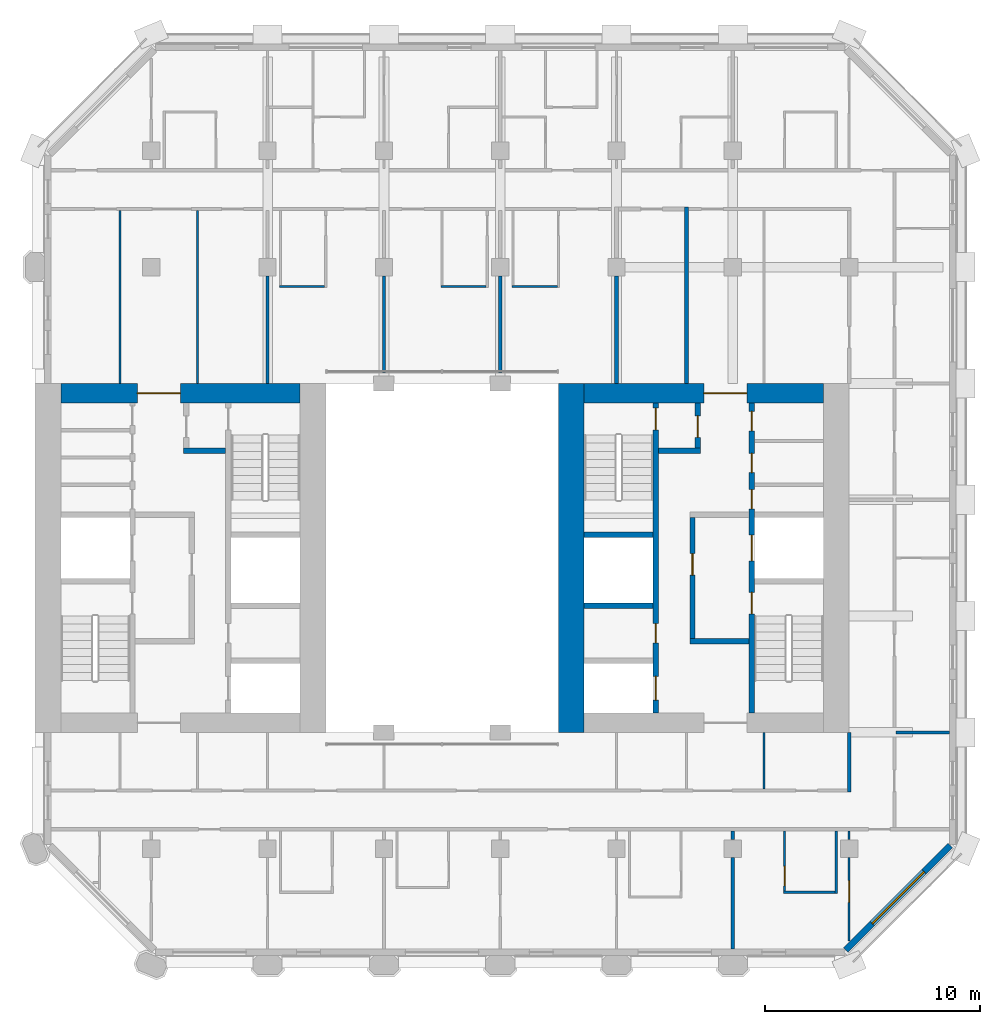
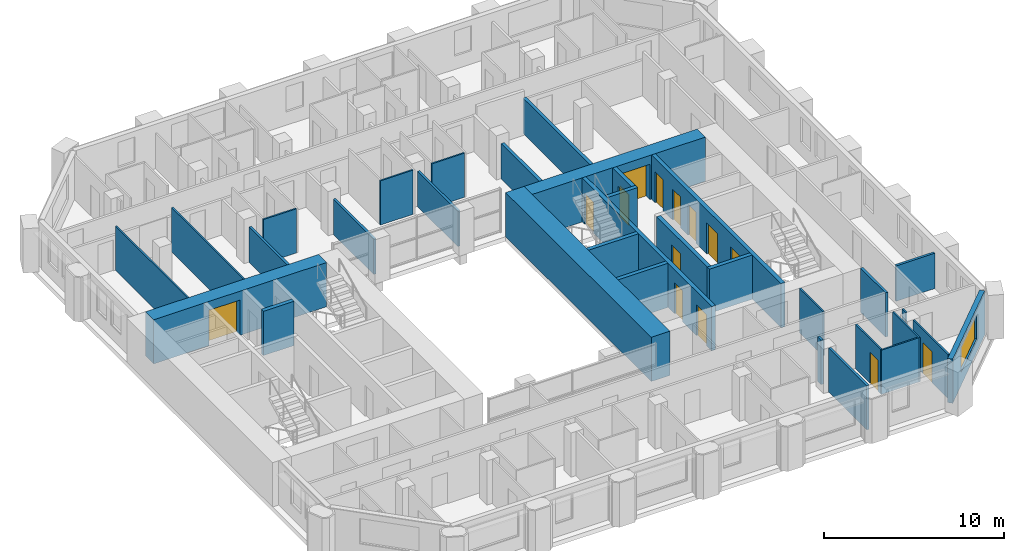
# One storey, part 6 of 13: 33 walls, 14 doors, 1 window, 15 openings.
"""IFC4 building model written with IfcOpenShell, lengths in metres."""

from ifc_helpers import new_model, si_unit, direction, frame, frame_2d, origin, place, context, subcontext, project, spatial, rectangle, extrude, material, layer, layer_set, type_object, element, fill, save


model = new_model("IFC4")

# Units and contexts
model_context = context("Model", 3, precision=1e-05, world=origin(), true_north=direction((0.0, 1.0)))
body_context = subcontext(model_context, "Body", "Model", "MODEL_VIEW")
ifc_project = project(units=[si_unit("LENGTHUNIT", "METRE"), si_unit("AREAUNIT", "SQUARE_METRE"), si_unit("VOLUMEUNIT", "CUBIC_METRE"), si_unit("PLANEANGLEUNIT", "RADIAN"), si_unit("MASSUNIT", "GRAM", prefix="KILO")], contexts=[model_context])

# Site, building, storey
site_placement = place(None, origin())
site = spatial("IfcSite", under=ifc_project, at=site_placement, CompositionType="ELEMENT")
building_placement = place(site_placement, origin())
building = spatial("IfcBuilding", under=site, at=building_placement, Name="Tabaq Tower and Sports Hall", CompositionType="ELEMENT")
storey_placement = place(building_placement, frame((0.0, 0.0, 200.5)))
storey = spatial("IfcBuildingStorey", under=building, at=storey_placement, Name="L49", CompositionType="ELEMENT", Elevation=200.5)

# Wall
ifc_material_1 = material(Name="Concrete C50/60", Category="concrete")
ifc_layer_1 = layer(ifc_material_1, 1.199951171875)
ifc_layer_set_1 = layer_set([ifc_layer_1], Name="Core wall 1200 Concrete C50/60")
wall_type_1 = type_object("IfcWallType", Name="Core wall 1200 Concrete C50/60", PredefinedType="SOLIDWALL", material=ifc_layer_set_1)
wall_1_placement = place(storey_placement, frame((30.300048828125, 16.199951171875, 0.0), z_axis=(0.0, 0.0, 1.0), x_axis=(0.0, 1.0, 0.0)))
element("IfcWall", 1, at=wall_1_placement, inside=storey, type_object=wall_type_1, Name="Core wall E L49", PredefinedType="SOLIDWALL", context=body_context, shape_type="SweptSolid", body=[
    extrude(rectangle(XDim=16.199951171875, YDim=1.199951171875, at=frame_2d((8.10009765625, 0.0))), origin(), (0.0, 0.0, 1.0), 3.0),
])

# Wall, opening, door
ifc_material_2 = material(Name="Concrete C50/60", Category="concrete")
ifc_layer_2 = layer(ifc_material_2, 0.89990234375)
ifc_layer_set_2 = layer_set([ifc_layer_2], Name="Core wall 900 Concrete C50/60")
wall_type_2 = type_object("IfcWallType", Name="Core wall 900 Concrete C50/60", PredefinedType="SOLIDWALL", material=ifc_layer_set_2)
wall_2_placement = place(storey_placement, frame((6.60009765625, 31.949951171875, 0.0), z_axis=(0.0, 0.0, 1.0), x_axis=(1.0, 0.0, 0.0)))
wall_2 = element("IfcWall", 2, at=wall_2_placement, inside=storey, type_object=wall_type_2, Name="Core wall W L49", PredefinedType="SOLIDWALL", context=body_context, shape_type="SweptSolid", body=[
    extrude(rectangle(XDim=11.099853515625, YDim=0.89990234375, at=frame_2d((5.5498046875, 0.0))), origin(), (0.0, 0.0, 1.0), 3.0),
])
opening_1_placement = place(wall_2_placement, frame((3.550048828125, 0.0, 0.0)))
opening_1 = element("IfcOpeningElement", 3, at=opening_1_placement, cuts=wall_2, Name="Opening PD-WL49-02", PredefinedType="OPENING", context=body_context, shape_type="SweptSolid", body=[
    extrude(rectangle(XDim=2.0, YDim=2.39990234375, at=frame_2d((1.0, 1.199951171875))), frame((0.0, 0.449951171875, 0.0), z_axis=(0.0, -1.0, 0.0), x_axis=(1.0, 0.0, 0.0)), (0.0, 0.0, 1.0), 0.89990234375),
])
ifc_material_3 = material(Name="Steel fire door", Category="steel")
door_type_1 = type_object("IfcDoorType", Name="Core entrance door 2000", OperationType="DOUBLE_DOOR_SINGLE_SWING", PredefinedType="DOOR", material=ifc_material_3)
door_1_placement = place(opening_1_placement, origin())
door_1 = element("IfcDoor", 4, at=door_1_placement, inside=storey, type_object=door_type_1, Name="Core entrance north W L49", OperationType="DOUBLE_DOOR_SINGLE_SWING", OverallHeight=2.39990234375, OverallWidth=2.0, PredefinedType="DOOR", context=body_context, shape_type="SweptSolid", body=[
    extrude(rectangle(XDim=2.0, YDim=2.39990234375, at=frame_2d((1.0, 1.199951171875))), frame((0.0, 0.02490234375, 0.0), z_axis=(0.0, -1.0, 0.0), x_axis=(1.0, 0.0, 0.0)), (0.0, 0.0, 1.0), 0.050048828125),
])
fill(opening_1, door_1)

wall_3_placement = place(storey_placement, frame((30.89990234375, 31.949951171875, 0.0), z_axis=(0.0, 0.0, 1.0), x_axis=(1.0, 0.0, 0.0)))
wall_3 = element("IfcWall", 5, at=wall_3_placement, inside=storey, type_object=wall_type_2, Name="Core wall E L49", PredefinedType="SOLIDWALL", context=body_context, shape_type="SweptSolid", body=[
    extrude(rectangle(XDim=11.10009765625, YDim=0.89990234375, at=frame_2d((5.550048828125, 0.0))), origin(), (0.0, 0.0, 1.0), 3.0),
])
opening_2_placement = place(wall_3_placement, frame((5.550048828125, 0.0, 0.0)))
opening_2 = element("IfcOpeningElement", 6, at=opening_2_placement, cuts=wall_3, Name="Opening PD-EL49-02", PredefinedType="OPENING", context=body_context, shape_type="SweptSolid", body=[
    extrude(rectangle(XDim=2.0, YDim=2.39990234375, at=frame_2d((1.0, 1.199951171875))), frame((0.0, 0.449951171875, 0.0), z_axis=(0.0, -1.0, 0.0), x_axis=(1.0, 0.0, 0.0)), (0.0, 0.0, 1.0), 0.89990234375),
])
door_2_placement = place(opening_2_placement, origin())
door_2 = element("IfcDoor", 7, at=door_2_placement, inside=storey, type_object=door_type_1, Name="Core entrance north E L49", OperationType="DOUBLE_DOOR_SINGLE_SWING", OverallHeight=2.39990234375, OverallWidth=2.0, PredefinedType="DOOR", context=body_context, shape_type="SweptSolid", body=[
    extrude(rectangle(XDim=2.0, YDim=2.39990234375, at=frame_2d((1.0, 1.199951171875))), frame((0.0, 0.02490234375, 0.0), z_axis=(0.0, -1.0, 0.0), x_axis=(1.0, 0.0, 0.0)), (0.0, 0.0, 1.0), 0.050048828125),
])
fill(opening_2, door_2)

# Walls
ifc_material_4 = material(Name="Blockwork", Category="masonry")
ifc_layer_3 = layer(ifc_material_4, 0.199951171875)
ifc_layer_set_3 = layer_set([ifc_layer_3], Name="Fire compartment wall 200 Blockwork")
wall_type_3 = type_object("IfcWallType", Name="Fire compartment wall 200 Blockwork", PredefinedType="PARTITIONING", material=ifc_layer_set_3)
wall_4_placement = place(storey_placement, frame((32.39990234375, 32.39990234375, 0.0), z_axis=(0.0, 0.0, 1.0), x_axis=(0.0, 1.0, 0.0)))
element("IfcWall", 8, at=wall_4_placement, inside=storey, type_object=wall_type_3, Name="Compartment wall L49", PredefinedType="PARTITIONING", context=body_context, shape_type="SweptSolid", body=[
    extrude(rectangle(XDim=4.97998046875, YDim=0.199951171875, at=frame_2d((2.489990234375, 0.0))), origin(), (0.0, 0.0, 1.0), 2.39990234375),
])
wall_5_placement = place(storey_placement, frame((35.64990234375, 40.60009765625, 0.0), z_axis=(0.0, 0.0, 1.0), x_axis=(0.0, -1.0, 0.0)))
element("IfcWall", 9, at=wall_5_placement, inside=storey, type_object=wall_type_3, Name="Compartment wall L49", PredefinedType="PARTITIONING", context=body_context, shape_type="SweptSolid", body=[
    extrude(rectangle(XDim=8.2001953125, YDim=0.199951171875, at=frame_2d((4.10009765625, 0.0))), origin(), (0.0, 0.0, 1.0), 2.39990234375),
])
ifc_material_5 = material(Name="Gypsum board on steel studs", Category="steel")
ifc_layer_4 = layer(ifc_material_5, 0.10009765625)
ifc_layer_set_4 = layer_set([ifc_layer_4], Name="Partition 100 Gypsum board")
wall_type_4 = type_object("IfcWallType", Name="Partition 100 Gypsum board", PredefinedType="PARTITIONING", material=ifc_layer_set_4)
for number, where, z_axis, x_axis, name in (
    (10, (18.85009765625, 36.89990234375, 0.0), (0.0, 0.0, 1.0), (-1.0, 0.0, 0.0), "Partition wall L49"),
    (11, (26.35009765625, 36.89990234375, 0.0), (0.0, 0.0, 1.0), (-1.0, 0.0, 0.0), "Partition wall L49"),
):
    element("IfcWall", number, at=place(storey_placement, frame(where, z_axis=z_axis, x_axis=x_axis)), inside=storey, type_object=wall_type_4, Name=name, PredefinedType="PARTITIONING", context=body_context, shape_type="SweptSolid", body=[
        extrude(rectangle(XDim=2.10009765625, YDim=0.10009765625, at=frame_2d((1.050048828125, 0.0))), origin(), (0.0, 0.0, 1.0), 3.0),
    ])
wall_6_placement = place(storey_placement, frame((29.64990234375, 36.89990234375, 0.0), z_axis=(0.0, 0.0, 1.0), x_axis=(-1.0, 0.0, 0.0)))
element("IfcWall", 12, at=wall_6_placement, inside=storey, type_object=wall_type_4, Name="Partition wall L49", PredefinedType="PARTITIONING", context=body_context, shape_type="SweptSolid", body=[
    extrude(rectangle(XDim=2.099853515625, YDim=0.10009765625, at=frame_2d((1.0498046875, 0.0))), origin(), (0.0, 0.0, 1.0), 3.0),
])
for number, where, z_axis, x_axis, name in (
    (13, (9.35009765625, 40.425048828125, 0.0), (0.0, 0.0, 1.0), (0.0, -1.0, 0.0), "Partition wall L49"),
    (14, (12.949951171875, 32.39990234375, 0.0), (0.0, 0.0, 1.0), (0.0, 1.0, 0.0), "Partition wall L49"),
):
    element("IfcWall", number, at=place(storey_placement, frame(where, z_axis=z_axis, x_axis=x_axis)), inside=storey, type_object=wall_type_4, Name=name, PredefinedType="PARTITIONING", context=body_context, shape_type="SweptSolid", body=[
        extrude(rectangle(XDim=8.025146484375, YDim=0.10009765625, at=frame_2d((4.0126953125, 0.0))), origin(), (0.0, 0.0, 1.0), 3.0),
    ])

# Wall, opening, door
wall_7_placement = place(storey_placement, frame((43.199951171875, 6.51220703125, 0.0), z_axis=(0.0, 0.0, 1.0), x_axis=(0.0, 1.0, 0.0)))
wall_7 = element("IfcWall", 15, at=wall_7_placement, inside=storey, type_object=wall_type_4, Name="Partition wall L49", PredefinedType="PARTITIONING", context=body_context, shape_type="SweptSolid", body=[
    extrude(rectangle(XDim=3.86767578125, YDim=0.10009765625, at=frame_2d((1.933837890625, 0.0))), origin(), (0.0, 0.0, 1.0), 3.0),
])
opening_3_placement = place(wall_7_placement, frame((1.80029296875, 0.0, 0.0)))
opening_3 = element("IfcOpeningElement", 16, at=opening_3_placement, cuts=wall_7, Name="Opening L49-047", PredefinedType="OPENING", context=body_context, shape_type="SweptSolid", body=[
    extrude(rectangle(XDim=1.0, YDim=2.10009765625, at=frame_2d((0.5, 1.050048828125))), frame((0.0, 0.050048828125, 0.0), z_axis=(0.0, -1.0, 0.0), x_axis=(1.0, 0.0, 0.0)), (0.0, 0.0, 1.0), 0.10009765625),
])
ifc_material_6 = material(Name="Timber leaf in steel frame", Category="steel")
door_type_2 = type_object("IfcDoorType", Name="Internal door 1000 right hand", OperationType="SINGLE_SWING_RIGHT", PredefinedType="DOOR", material=ifc_material_6)
door_3_placement = place(opening_3_placement, origin())
door_3 = element("IfcDoor", 17, at=door_3_placement, inside=storey, type_object=door_type_2, Name="Internal door L49-047", OperationType="SINGLE_SWING_RIGHT", OverallHeight=2.10009765625, OverallWidth=1.0, PredefinedType="DOOR", context=body_context, shape_type="SweptSolid", body=[
    extrude(rectangle(XDim=1.0, YDim=2.10009765625, at=frame_2d((0.5, 1.050048828125))), frame((0.0, 0.02490234375, 0.0), z_axis=(0.0, -1.0, 0.0), x_axis=(1.0, 0.0, 0.0)), (0.0, 0.0, 1.0), 0.050048828125),
])
fill(opening_3, door_3)

# Walls
wall_8_placement = place(storey_placement, frame((43.199951171875, 11.219970703125, 0.0), z_axis=(0.0, 0.0, 1.0), x_axis=(0.0, 1.0, 0.0)))
element("IfcWall", 18, at=wall_8_placement, inside=storey, type_object=wall_type_4, Name="Partition wall L49", PredefinedType="PARTITIONING", context=body_context, shape_type="SweptSolid", body=[
    extrude(rectangle(XDim=0.405029296875, YDim=0.10009765625, at=frame_2d((0.20263671875, 0.0))), origin(), (0.0, 0.0, 1.0), 3.0),
])
wall_9_placement = place(storey_placement, frame((42.60009765625, 11.625, 0.0), z_axis=(0.0, 0.0, 1.0), x_axis=(0.0, -1.0, 0.0)))
element("IfcWall", 19, at=wall_9_placement, inside=storey, type_object=wall_type_4, Name="Partition wall L49", PredefinedType="PARTITIONING", context=body_context, shape_type="SweptSolid", body=[
    extrude(rectangle(XDim=2.89990234375, YDim=0.10009765625, at=frame_2d((1.449951171875, 0.0))), origin(), (0.0, 0.0, 1.0), 3.0),
])
wall_10_placement = place(storey_placement, frame((42.550048828125, 8.77490234375, 0.0), z_axis=(0.0, 0.0, 1.0), x_axis=(-1.0, 0.0, 0.0)))
element("IfcWall", 20, at=wall_10_placement, inside=storey, type_object=wall_type_4, Name="Partition wall L49", PredefinedType="PARTITIONING", context=body_context, shape_type="SweptSolid", body=[
    extrude(rectangle(XDim=2.400146484375, YDim=0.10009765625, at=frame_2d((1.2001953125, 0.0))), origin(), (0.0, 0.0, 1.0), 3.0),
])

# Wall, opening, door
wall_11_placement = place(storey_placement, frame((40.199951171875, 8.824951171875, 0.0), z_axis=(0.0, 0.0, 1.0), x_axis=(0.0, 1.0, 0.0)))
wall_11 = element("IfcWall", 21, at=wall_11_placement, inside=storey, type_object=wall_type_4, Name="Partition wall L49", PredefinedType="PARTITIONING", context=body_context, shape_type="SweptSolid", body=[
    extrude(rectangle(XDim=2.800048828125, YDim=0.10009765625, at=frame_2d((1.39990234375, 0.0))), origin(), (0.0, 0.0, 1.0), 3.0),
])
opening_4_placement = place(wall_11_placement, frame((0.25, 0.0, 0.0)))
opening_4 = element("IfcOpeningElement", 22, at=opening_4_placement, cuts=wall_11, Name="Opening L49-023", PredefinedType="OPENING", context=body_context, shape_type="SweptSolid", body=[
    extrude(rectangle(XDim=0.89990234375, YDim=2.10009765625, at=frame_2d((0.449951171875, 1.050048828125))), frame((0.0, 0.050048828125, 0.0), z_axis=(0.0, -1.0, 0.0), x_axis=(1.0, 0.0, 0.0)), (0.0, 0.0, 1.0), 0.10009765625),
])
ifc_material_7 = material(Name="Timber leaf in steel frame", Category="steel")
door_type_3 = type_object("IfcDoorType", Name="Internal door 900 right hand", OperationType="SINGLE_SWING_RIGHT", PredefinedType="DOOR", material=ifc_material_7)
door_4_placement = place(opening_4_placement, origin())
door_4 = element("IfcDoor", 23, at=door_4_placement, inside=storey, type_object=door_type_3, Name="Internal door L49-023", OperationType="SINGLE_SWING_RIGHT", OverallHeight=2.10009765625, OverallWidth=0.89990234375, PredefinedType="DOOR", context=body_context, shape_type="SweptSolid", body=[
    extrude(rectangle(XDim=0.89990234375, YDim=2.10009765625, at=frame_2d((0.449951171875, 1.050048828125))), frame((0.0, 0.02490234375, 0.0), z_axis=(0.0, -1.0, 0.0), x_axis=(1.0, 0.0, 0.0)), (0.0, 0.0, 1.0), 0.050048828125),
])
fill(opening_4, door_4)

# Walls
wall_12_placement = place(storey_placement, frame((39.25, 13.574951171875, 0.0), z_axis=(0.0, 0.0, 1.0), x_axis=(0.0, 1.0, 0.0)))
element("IfcWall", 24, at=wall_12_placement, inside=storey, type_object=wall_type_4, Name="Partition wall L49", PredefinedType="PARTITIONING", context=body_context, shape_type="SweptSolid", body=[
    extrude(rectangle(XDim=2.625, YDim=0.10009765625, at=frame_2d((1.3125, 0.0))), origin(), (0.0, 0.0, 1.0), 3.0),
])
ifc_material_8 = material(Name="Blockwork", Category="masonry")
ifc_layer_5 = layer(ifc_material_8, 0.14990234375)
ifc_layer_set_5 = layer_set([ifc_layer_5], Name="Separating wall 150 Blockwork")
wall_type_5 = type_object("IfcWallType", Name="Separating wall 150 Blockwork", PredefinedType="PARTITIONING", material=ifc_layer_set_5)
wall_13_placement = place(storey_placement, frame((21.60009765625, 32.89501953125, 0.0), z_axis=(0.0, 0.0, 1.0), x_axis=(0.0, 1.0, 0.0)))
element("IfcWall", 25, at=wall_13_placement, inside=storey, type_object=wall_type_5, Name="Separating wall L49", PredefinedType="PARTITIONING", context=body_context, shape_type="SweptSolid", body=[
    extrude(rectangle(XDim=4.48486328125, YDim=0.14990234375, at=frame_2d((2.242431640625, 0.0))), origin(), (0.0, 0.0, 1.0), 2.39990234375),
])
wall_14_placement = place(storey_placement, frame((16.199951171875, 37.3798828125, 0.0), z_axis=(0.0, 0.0, 1.0), x_axis=(0.0, -1.0, 0.0)))
element("IfcWall", 26, at=wall_14_placement, inside=storey, type_object=wall_type_5, Name="Separating wall L49", PredefinedType="PARTITIONING", context=body_context, shape_type="SweptSolid", body=[
    extrude(rectangle(XDim=4.97998046875, YDim=0.14990234375, at=frame_2d((2.489990234375, 0.0))), origin(), (0.0, 0.0, 1.0), 2.39990234375),
])
wall_15_placement = place(storey_placement, frame((27.0, 32.89501953125, 0.0), z_axis=(0.0, 0.0, 1.0), x_axis=(0.0, 1.0, 0.0)))
element("IfcWall", 27, at=wall_15_placement, inside=storey, type_object=wall_type_5, Name="Separating wall L49", PredefinedType="PARTITIONING", context=body_context, shape_type="SweptSolid", body=[
    extrude(rectangle(XDim=4.48486328125, YDim=0.14990234375, at=frame_2d((2.242431640625, 0.0))), origin(), (0.0, 0.0, 1.0), 2.39990234375),
])
wall_16_placement = place(storey_placement, frame((47.84912109375, 16.199951171875, 0.0), z_axis=(0.0, 0.0, 1.0), x_axis=(-1.0, 0.0, 0.0)))
element("IfcWall", 28, at=wall_16_placement, inside=storey, type_object=wall_type_5, Name="Separating wall L49", PredefinedType="PARTITIONING", context=body_context, shape_type="SweptSolid", body=[
    extrude(rectangle(XDim=2.47412109375, YDim=0.14990234375, at=frame_2d((1.237060546875, 0.0))), origin(), (0.0, 0.0, 1.0), 2.39990234375),
])
wall_17_placement = place(storey_placement, frame((37.800048828125, 6.15087890625, 0.0), z_axis=(0.0, 0.0, 1.0), x_axis=(0.0, 1.0, 0.0)))
element("IfcWall", 29, at=wall_17_placement, inside=storey, type_object=wall_type_5, Name="Separating wall L49", PredefinedType="PARTITIONING", context=body_context, shape_type="SweptSolid", body=[
    extrude(rectangle(XDim=4.22900390625, YDim=0.14990234375, at=frame_2d((2.114501953125, 0.0))), origin(), (0.0, 0.0, 1.0), 3.0),
])
wall_18_placement = place(storey_placement, frame((37.800048828125, 11.219970703125, 0.0), z_axis=(0.0, 0.0, 1.0), x_axis=(0.0, 1.0, 0.0)))
element("IfcWall", 30, at=wall_18_placement, inside=storey, type_object=wall_type_5, Name="Separating wall L49", PredefinedType="PARTITIONING", context=body_context, shape_type="SweptSolid", body=[
    extrude(rectangle(XDim=0.405029296875, YDim=0.14990234375, at=frame_2d((0.20263671875, 0.0))), origin(), (0.0, 0.0, 1.0), 3.0),
])
wall_19_placement = place(storey_placement, frame((43.199951171875, 16.199951171875, 0.0), z_axis=(0.0, 0.0, 1.0), x_axis=(0.0, -1.0, 0.0)))
element("IfcWall", 31, at=wall_19_placement, inside=storey, type_object=wall_type_5, Name="Separating wall L49", PredefinedType="PARTITIONING", context=body_context, shape_type="SweptSolid", body=[
    extrude(rectangle(XDim=2.77490234375, YDim=0.14990234375, at=frame_2d((1.387451171875, 0.0))), origin(), (0.0, 0.0, 1.0), 3.0),
])
ifc_material_9 = material(Name="Concrete C40/50", Category="concrete")
ifc_layer_6 = layer(ifc_material_9, 0.25)
ifc_layer_set_6 = layer_set([ifc_layer_6], Name="Shaft and stair wall 250 Concrete C40/50")
wall_type_6 = type_object("IfcWallType", Name="Shaft and stair wall 250 Concrete C40/50", PredefinedType="SOLIDWALL", material=ifc_layer_set_6)
wall_20_placement = place(storey_placement, frame((12.300048828125, 29.27490234375, 0.0), z_axis=(0.0, 0.0, 1.0), x_axis=(1.0, 0.0, 0.0)))
element("IfcWall", 32, at=wall_20_placement, inside=storey, type_object=wall_type_6, Name="Fire-fighting lobby wall W L49", PredefinedType="SOLIDWALL", context=body_context, shape_type="SweptSolid", body=[
    extrude(rectangle(XDim=1.949951171875, YDim=0.25, at=frame_2d((0.97509765625, 0.0))), origin(), (0.0, 0.0, 1.0), 3.0),
])

# Wall, openings, doors
wall_21_placement = place(storey_placement, frame((38.675048828125, 17.10009765625, 0.0), z_axis=(0.0, 0.0, 1.0), x_axis=(0.0, 1.0, 0.0)))
wall_21 = element("IfcWall", 33, at=wall_21_placement, inside=storey, type_object=wall_type_6, Name="Shaft wall E L49", PredefinedType="SOLIDWALL", context=body_context, shape_type="SweptSolid", body=[
    extrude(rectangle(XDim=14.39990234375, YDim=0.25, at=frame_2d((7.199951171875, 0.0))), origin(), (0.0, 0.0, 1.0), 3.0),
])
opening_5_placement = place(wall_21_placement, frame((4.60009765625, 0.0, 0.0)))
opening_5 = element("IfcOpeningElement", 34, at=opening_5_placement, cuts=wall_21, Name="Opening SD-EL49-03", PredefinedType="OPENING", context=body_context, shape_type="SweptSolid", body=[
    extrude(rectangle(XDim=1.0, YDim=2.10009765625, at=frame_2d((0.5, 1.050048828125))), frame((0.0, 0.125, 0.0), z_axis=(0.0, -1.0, 0.0), x_axis=(1.0, 0.0, 0.0)), (0.0, 0.0, 1.0), 0.25),
])
opening_6_placement = place(wall_21_placement, frame((7.0625, 0.0, 0.0)))
opening_6 = element("IfcOpeningElement", 35, at=opening_6_placement, cuts=wall_21, Name="Opening LD-FF2-L49", PredefinedType="OPENING", context=body_context, shape_type="SweptSolid", body=[
    extrude(rectangle(XDim=1.199951171875, YDim=2.10009765625, at=frame_2d((0.60009765625, 1.050048828125))), frame((0.0, 0.125, 0.0), z_axis=(0.0, -1.0, 0.0), x_axis=(1.0, 0.0, 0.0)), (0.0, 0.0, 1.0), 0.25),
])
opening_7_placement = place(wall_21_placement, frame((9.471923828125, 0.0, 0.0)))
opening_7 = element("IfcOpeningElement", 36, at=opening_7_placement, cuts=wall_21, Name="Opening RD-EL49-09", PredefinedType="OPENING", context=body_context, shape_type="SweptSolid", body=[
    extrude(rectangle(XDim=0.89990234375, YDim=2.10009765625, at=frame_2d((0.449951171875, 1.050048828125))), frame((0.0, 0.125, 0.0), z_axis=(0.0, -1.0, 0.0), x_axis=(1.0, 0.0, 0.0)), (0.0, 0.0, 1.0), 0.25),
])
opening_8_placement = place(wall_21_placement, frame((11.158935546875, 0.0, 0.0)))
opening_8 = element("IfcOpeningElement", 37, at=opening_8_placement, cuts=wall_21, Name="Opening RD-EL49-10", PredefinedType="OPENING", context=body_context, shape_type="SweptSolid", body=[
    extrude(rectangle(XDim=0.89990234375, YDim=2.10009765625, at=frame_2d((0.449951171875, 1.050048828125))), frame((0.0, 0.125, 0.0), z_axis=(0.0, -1.0, 0.0), x_axis=(1.0, 0.0, 0.0)), (0.0, 0.0, 1.0), 0.25),
])
opening_9_placement = place(wall_21_placement, frame((13.099609375, 0.0, 0.0)))
opening_9 = element("IfcOpeningElement", 38, at=opening_9_placement, cuts=wall_21, Name="Opening RD-EL49-11", PredefinedType="OPENING", context=body_context, shape_type="SweptSolid", body=[
    extrude(rectangle(XDim=0.89990234375, YDim=2.10009765625, at=frame_2d((0.449951171875, 1.050048828125))), frame((0.0, 0.125, 0.0), z_axis=(0.0, -1.0, 0.0), x_axis=(1.0, 0.0, 0.0)), (0.0, 0.0, 1.0), 0.25),
])
ifc_material_10 = material(Name="Steel fire door", Category="steel")
door_type_4 = type_object("IfcDoorType", Name="Core room door 900", OperationType="SINGLE_SWING_LEFT", PredefinedType="DOOR", material=ifc_material_10)
door_5_placement = place(opening_7_placement, origin())
door_5 = element("IfcDoor", 39, at=door_5_placement, inside=storey, type_object=door_type_4, Name="Door Electrical Riser Room E L49", OperationType="SINGLE_SWING_LEFT", OverallHeight=2.10009765625, OverallWidth=0.89990234375, PredefinedType="DOOR", context=body_context, shape_type="SweptSolid", body=[
    extrude(rectangle(XDim=0.89990234375, YDim=2.10009765625, at=frame_2d((0.449951171875, 1.050048828125))), frame((0.0, 0.02490234375, 0.0), z_axis=(0.0, -1.0, 0.0), x_axis=(1.0, 0.0, 0.0)), (0.0, 0.0, 1.0), 0.050048828125),
])
fill(opening_7, door_5)
door_6_placement = place(opening_8_placement, origin())
door_6 = element("IfcDoor", 40, at=door_6_placement, inside=storey, type_object=door_type_4, Name="Door Unisex WC E L49", OperationType="SINGLE_SWING_LEFT", OverallHeight=2.10009765625, OverallWidth=0.89990234375, PredefinedType="DOOR", context=body_context, shape_type="SweptSolid", body=[
    extrude(rectangle(XDim=0.89990234375, YDim=2.10009765625, at=frame_2d((0.449951171875, 1.050048828125))), frame((0.0, 0.02490234375, 0.0), z_axis=(0.0, -1.0, 0.0), x_axis=(1.0, 0.0, 0.0)), (0.0, 0.0, 1.0), 0.050048828125),
])
fill(opening_8, door_6)
door_7_placement = place(opening_9_placement, origin())
door_7 = element("IfcDoor", 41, at=door_7_placement, inside=storey, type_object=door_type_4, Name="Door Accessible WC E L49", OperationType="SINGLE_SWING_LEFT", OverallHeight=2.10009765625, OverallWidth=0.89990234375, PredefinedType="DOOR", context=body_context, shape_type="SweptSolid", body=[
    extrude(rectangle(XDim=0.89990234375, YDim=2.10009765625, at=frame_2d((0.449951171875, 1.050048828125))), frame((0.0, 0.02490234375, 0.0), z_axis=(0.0, -1.0, 0.0), x_axis=(1.0, 0.0, 0.0)), (0.0, 0.0, 1.0), 0.050048828125),
])
fill(opening_9, door_7)
ifc_material_11 = material(Name="Stainless steel", Category="steel")
door_type_5 = type_object("IfcDoorType", Name="Lift landing door 1200", OperationType="DOUBLE_DOOR_SLIDING", PredefinedType="DOOR", material=ifc_material_11)
door_8_placement = place(opening_6_placement, origin())
door_8 = element("IfcDoor", 42, at=door_8_placement, inside=storey, type_object=door_type_5, Name="Lift landing door FF2 E L49", OperationType="DOUBLE_DOOR_SLIDING", OverallHeight=2.10009765625, OverallWidth=1.199951171875, PredefinedType="DOOR", context=body_context, shape_type="SweptSolid", body=[
    extrude(rectangle(XDim=1.199951171875, YDim=2.10009765625, at=frame_2d((0.60009765625, 1.050048828125))), frame((0.0, 0.02490234375, 0.0), z_axis=(0.0, -1.0, 0.0), x_axis=(1.0, 0.0, 0.0)), (0.0, 0.0, 1.0), 0.050048828125),
])
fill(opening_6, door_8)
ifc_material_12 = material(Name="Steel fire door", Category="steel")
door_type_6 = type_object("IfcDoorType", Name="Stair door 1000", OperationType="SINGLE_SWING_LEFT", PredefinedType="DOOR", material=ifc_material_12)
door_9_placement = place(opening_5_placement, origin())
door_9 = element("IfcDoor", 43, at=door_9_placement, inside=storey, type_object=door_type_6, Name="Stair door ST3 E L49", OperationType="SINGLE_SWING_LEFT", OverallHeight=2.10009765625, OverallWidth=1.0, PredefinedType="DOOR", context=body_context, shape_type="SweptSolid", body=[
    extrude(rectangle(XDim=1.0, YDim=2.10009765625, at=frame_2d((0.5, 1.050048828125))), frame((0.0, 0.02490234375, 0.0), z_axis=(0.0, -1.0, 0.0), x_axis=(1.0, 0.0, 0.0)), (0.0, 0.0, 1.0), 0.050048828125),
])
fill(opening_5, door_9)

wall_22_placement = place(storey_placement, frame((34.22509765625, 17.10009765625, 0.0), z_axis=(0.0, 0.0, 1.0), x_axis=(0.0, 1.0, 0.0)))
wall_22 = element("IfcWall", 44, at=wall_22_placement, inside=storey, type_object=wall_type_6, Name="Shaft wall E L49", PredefinedType="SOLIDWALL", context=body_context, shape_type="SweptSolid", body=[
    extrude(rectangle(XDim=14.39990234375, YDim=0.25, at=frame_2d((7.199951171875, 0.0))), origin(), (0.0, 0.0, 1.0), 3.0),
])
opening_10_placement = place(wall_22_placement, frame((13.14990234375, 0.0, 0.0)))
opening_10 = element("IfcOpeningElement", 45, at=opening_10_placement, cuts=wall_22, Name="Opening SD-EL49-05", PredefinedType="OPENING", context=body_context, shape_type="SweptSolid", body=[
    extrude(rectangle(XDim=1.0, YDim=2.10009765625, at=frame_2d((0.5, 1.050048828125))), frame((0.0, 0.125, 0.0), z_axis=(0.0, -1.0, 0.0), x_axis=(1.0, 0.0, 0.0)), (0.0, 0.0, 1.0), 0.25),
])
opening_11_placement = place(wall_22_placement, frame((0.60009765625, 0.0, 0.0)))
opening_11 = element("IfcOpeningElement", 46, at=opening_11_placement, cuts=wall_22, Name="Opening LD-MR2-L49", PredefinedType="OPENING", context=body_context, shape_type="SweptSolid", body=[
    extrude(rectangle(XDim=1.10009765625, YDim=2.10009765625, at=frame_2d((0.550048828125, 1.050048828125))), frame((0.0, 0.125, 0.0), z_axis=(0.0, -1.0, 0.0), x_axis=(1.0, 0.0, 0.0)), (0.0, 0.0, 1.0), 0.25),
])
opening_12_placement = place(wall_22_placement, frame((3.25, 0.0, 0.0)))
opening_12 = element("IfcOpeningElement", 47, at=opening_12_placement, cuts=wall_22, Name="Opening RD-EL49-12", PredefinedType="OPENING", context=body_context, shape_type="SweptSolid", body=[
    extrude(rectangle(XDim=0.89990234375, YDim=2.10009765625, at=frame_2d((0.449951171875, 1.050048828125))), frame((0.0, 0.125, 0.0), z_axis=(0.0, -1.0, 0.0), x_axis=(1.0, 0.0, 0.0)), (0.0, 0.0, 1.0), 0.25),
])
door_10_placement = place(opening_12_placement, origin())
door_10 = element("IfcDoor", 48, at=door_10_placement, inside=storey, type_object=door_type_4, Name="Door Cleaner's Store E L49", OperationType="SINGLE_SWING_LEFT", OverallHeight=2.10009765625, OverallWidth=0.89990234375, PredefinedType="DOOR", context=body_context, shape_type="SweptSolid", body=[
    extrude(rectangle(XDim=0.89990234375, YDim=2.10009765625, at=frame_2d((0.449951171875, 1.050048828125))), frame((0.0, 0.02490234375, 0.0), z_axis=(0.0, -1.0, 0.0), x_axis=(1.0, 0.0, 0.0)), (0.0, 0.0, 1.0), 0.050048828125),
])
fill(opening_12, door_10)
ifc_material_13 = material(Name="Stainless steel", Category="steel")
door_type_7 = type_object("IfcDoorType", Name="Lift landing door 1100", OperationType="DOUBLE_DOOR_SLIDING", PredefinedType="DOOR", material=ifc_material_13)
door_11_placement = place(opening_11_placement, origin())
door_11 = element("IfcDoor", 49, at=door_11_placement, inside=storey, type_object=door_type_7, Name="Lift landing door MR2 E L49", OperationType="DOUBLE_DOOR_SLIDING", OverallHeight=2.10009765625, OverallWidth=1.10009765625, PredefinedType="DOOR", context=body_context, shape_type="SweptSolid", body=[
    extrude(rectangle(XDim=1.10009765625, YDim=2.10009765625, at=frame_2d((0.550048828125, 1.050048828125))), frame((0.0, 0.02490234375, 0.0), z_axis=(0.0, -1.0, 0.0), x_axis=(1.0, 0.0, 0.0)), (0.0, 0.0, 1.0), 0.050048828125),
])
fill(opening_11, door_11)
door_12_placement = place(opening_10_placement, origin())
door_12 = element("IfcDoor", 50, at=door_12_placement, inside=storey, type_object=door_type_6, Name="Stair door ST4 E L49", OperationType="SINGLE_SWING_LEFT", OverallHeight=2.10009765625, OverallWidth=1.0, PredefinedType="DOOR", context=body_context, shape_type="SweptSolid", body=[
    extrude(rectangle(XDim=1.0, YDim=2.10009765625, at=frame_2d((0.5, 1.050048828125))), frame((0.0, 0.02490234375, 0.0), z_axis=(0.0, -1.0, 0.0), x_axis=(1.0, 0.0, 0.0)), (0.0, 0.0, 1.0), 0.050048828125),
])
fill(opening_10, door_12)

# Walls
for number, where, z_axis, x_axis, name in (
    (51, (30.89990234375, 25.375, 0.0), (0.0, 0.0, 1.0), (1.0, 0.0, 0.0), "Stair enclosure wall E L49"),
    (52, (30.89990234375, 22.074951171875, 0.0), (0.0, 0.0, 1.0), (1.0, 0.0, 0.0), "Shaft wall E L49"),
):
    element("IfcWall", number, at=place(storey_placement, frame(where, z_axis=z_axis, x_axis=x_axis)), inside=storey, type_object=wall_type_6, Name=name, PredefinedType="SOLIDWALL", context=body_context, shape_type="SweptSolid", body=[
        extrude(rectangle(XDim=3.2001953125, YDim=0.25, at=frame_2d((1.60009765625, 0.0))), origin(), (0.0, 0.0, 1.0), 3.0),
    ])
wall_23_placement = place(storey_placement, frame((35.800048828125, 20.425048828125, 0.0), z_axis=(0.0, 0.0, 1.0), x_axis=(1.0, 0.0, 0.0)))
element("IfcWall", 53, at=wall_23_placement, inside=storey, type_object=wall_type_6, Name="Fire-fighting lobby wall E L49", PredefinedType="SOLIDWALL", context=body_context, shape_type="SweptSolid", body=[
    extrude(rectangle(XDim=2.75, YDim=0.25, at=frame_2d((1.375, 0.0))), origin(), (0.0, 0.0, 1.0), 3.0),
])

# Wall, opening, door
wall_24_placement = place(storey_placement, frame((36.175048828125, 29.39990234375, 0.0), z_axis=(0.0, 0.0, 1.0), x_axis=(0.0, 1.0, 0.0)))
wall_24 = element("IfcWall", 54, at=wall_24_placement, inside=storey, type_object=wall_type_6, Name="Fire-fighting lobby wall E L49", PredefinedType="SOLIDWALL", context=body_context, shape_type="SweptSolid", body=[
    extrude(rectangle(XDim=2.10009765625, YDim=0.25, at=frame_2d((1.050048828125, 0.0))), origin(), (0.0, 0.0, 1.0), 3.0),
])
opening_13_placement = place(wall_24_placement, frame((0.5, 0.0, 0.0)))
opening_13 = element("IfcOpeningElement", 55, at=opening_13_placement, cuts=wall_24, Name="Opening FD-EL49-06", PredefinedType="OPENING", context=body_context, shape_type="SweptSolid", body=[
    extrude(rectangle(XDim=1.0, YDim=2.10009765625, at=frame_2d((0.5, 1.050048828125))), frame((0.0, 0.125, 0.0), z_axis=(0.0, -1.0, 0.0), x_axis=(1.0, 0.0, 0.0)), (0.0, 0.0, 1.0), 0.25),
])
ifc_material_14 = material(Name="Steel fire door", Category="steel")
door_type_8 = type_object("IfcDoorType", Name="Fire-fighting lobby door 1000", OperationType="SINGLE_SWING_LEFT", PredefinedType="DOOR", material=ifc_material_14)
door_13_placement = place(opening_13_placement, origin())
door_13 = element("IfcDoor", 56, at=door_13_placement, inside=storey, type_object=door_type_8, Name="Stair lobby door E L49", OperationType="SINGLE_SWING_LEFT", OverallHeight=2.10009765625, OverallWidth=1.0, PredefinedType="DOOR", context=body_context, shape_type="SweptSolid", body=[
    extrude(rectangle(XDim=1.0, YDim=2.10009765625, at=frame_2d((0.5, 1.050048828125))), frame((0.0, 0.02490234375, 0.0), z_axis=(0.0, -1.0, 0.0), x_axis=(1.0, 0.0, 0.0)), (0.0, 0.0, 1.0), 0.050048828125),
])
fill(opening_13, door_13)

# Wall
wall_25_placement = place(storey_placement, frame((34.35009765625, 29.27490234375, 0.0), z_axis=(0.0, 0.0, 1.0), x_axis=(1.0, 0.0, 0.0)))
element("IfcWall", 57, at=wall_25_placement, inside=storey, type_object=wall_type_6, Name="Fire-fighting lobby wall E L49", PredefinedType="SOLIDWALL", context=body_context, shape_type="SweptSolid", body=[
    extrude(rectangle(XDim=1.949951171875, YDim=0.25, at=frame_2d((0.97509765625, 0.0))), origin(), (0.0, 0.0, 1.0), 3.0),
])

# Wall, opening, door
wall_26_placement = place(storey_placement, frame((35.925048828125, 20.550048828125, 0.0), z_axis=(0.0, 0.0, 1.0), x_axis=(0.0, 1.0, 0.0)))
wall_26 = element("IfcWall", 58, at=wall_26_placement, inside=storey, type_object=wall_type_6, Name="Fire-fighting lobby wall E L49", PredefinedType="SOLIDWALL", context=body_context, shape_type="SweptSolid", body=[
    extrude(rectangle(XDim=5.625, YDim=0.25, at=frame_2d((2.8125, 0.0))), origin(), (0.0, 0.0, 1.0), 3.0),
])
opening_14_placement = place(wall_26_placement, frame((2.949951171875, 0.0, 0.0)))
opening_14 = element("IfcOpeningElement", 59, at=opening_14_placement, cuts=wall_26, Name="Opening FD-EL49-04", PredefinedType="OPENING", context=body_context, shape_type="SweptSolid", body=[
    extrude(rectangle(XDim=1.0, YDim=2.10009765625, at=frame_2d((0.5, 1.050048828125))), frame((0.0, 0.125, 0.0), z_axis=(0.0, -1.0, 0.0), x_axis=(1.0, 0.0, 0.0)), (0.0, 0.0, 1.0), 0.25),
])
door_14_placement = place(opening_14_placement, origin())
door_14 = element("IfcDoor", 60, at=door_14_placement, inside=storey, type_object=door_type_8, Name="Fire-fighting lobby door E L49", OperationType="SINGLE_SWING_LEFT", OverallHeight=2.10009765625, OverallWidth=1.0, PredefinedType="DOOR", context=body_context, shape_type="SweptSolid", body=[
    extrude(rectangle(XDim=1.0, YDim=2.10009765625, at=frame_2d((0.5, 1.050048828125))), frame((0.0, 0.02490234375, 0.0), z_axis=(0.0, -1.0, 0.0), x_axis=(1.0, 0.0, 0.0)), (0.0, 0.0, 1.0), 0.050048828125),
])
fill(opening_14, door_14)

# Wall, opening, window
ifc_material_15 = material(Name="White precast concrete C60/75", Category="concrete")
ifc_layer_7 = layer(ifc_material_15, 0.300048828125)
ifc_layer_set_7 = layer_set([ifc_layer_7], Name="White precast concrete C60/75 external wall 300")
wall_type_7 = type_object("IfcWallType", Name="White precast concrete C60/75 external wall 300", PredefinedType="SOLIDWALL", material=ifc_layer_set_7)
wall_27_placement = place(storey_placement, frame((43.050537109375, 6.098876953125, 0.0), z_axis=(0.0, 0.0, 1.0), x_axis=(0.707106781187, 0.707106781187, 0.0)))
wall_27 = element("IfcWall", 61, at=wall_27_placement, inside=storey, type_object=wall_type_7, Name="External Wall L49 SE", PredefinedType="SOLIDWALL", context=body_context, shape_type="SweptSolid", body=[
    extrude(rectangle(XDim=6.85986328125, YDim=0.300048828125, at=frame_2d((3.429931640625, 0.0))), origin(), (0.0, 0.0, 1.0), 3.0),
])
opening_15_placement = place(wall_27_placement, frame((1.729736328125, 0.0, 0.89990234375)))
opening_15 = element("IfcOpeningElement", 62, at=opening_15_placement, cuts=wall_27, Name="Opening W1A", PredefinedType="OPENING", context=body_context, shape_type="SweptSolid", body=[
    extrude(rectangle(XDim=3.39990234375, YDim=1.699951171875, at=frame_2d((1.699951171875, 0.85009765625))), frame((0.0, 0.16015625, 0.0), z_axis=(0.0, -1.0, 0.0), x_axis=(1.0, 0.0, 0.0)), (0.0, 0.0, 1.0), 0.320068359375),
])
ifc_material_16 = material(Name="Aluminium framed clear glazing", Category="aluminium")
window_type = type_object("IfcWindowType", Name="Window W1A", PartitioningType="SINGLE_PANEL", PredefinedType="WINDOW", material=ifc_material_16)
window_placement = place(opening_15_placement, origin())
window = element("IfcWindow", 63, at=window_placement, inside=storey, type_object=window_type, Name="Window W1A L49", OverallHeight=1.699951171875, OverallWidth=3.39990234375, PartitioningType="SINGLE_PANEL", PredefinedType="WINDOW", context=body_context, shape_type="SweptSolid", body=[
    extrude(rectangle(XDim=3.39990234375, YDim=1.699951171875, at=frame_2d((1.699951171875, 0.85009765625))), frame((0.0, 0.030029296875, 0.0), z_axis=(0.0, -1.0, 0.0), x_axis=(1.0, 0.0, 0.0)), (0.0, 0.0, 1.0), 0.06005859375),
])
fill(opening_15, window)

save(model, "model.ifc")
